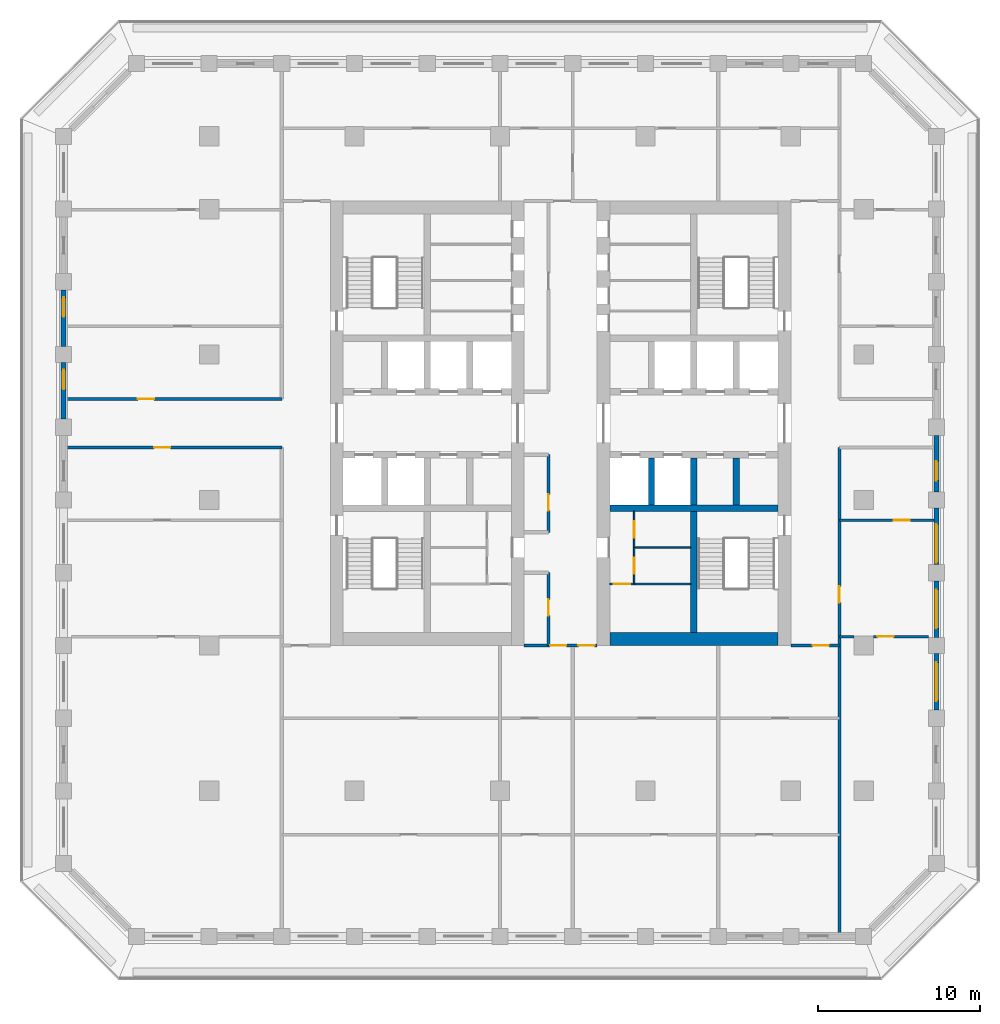
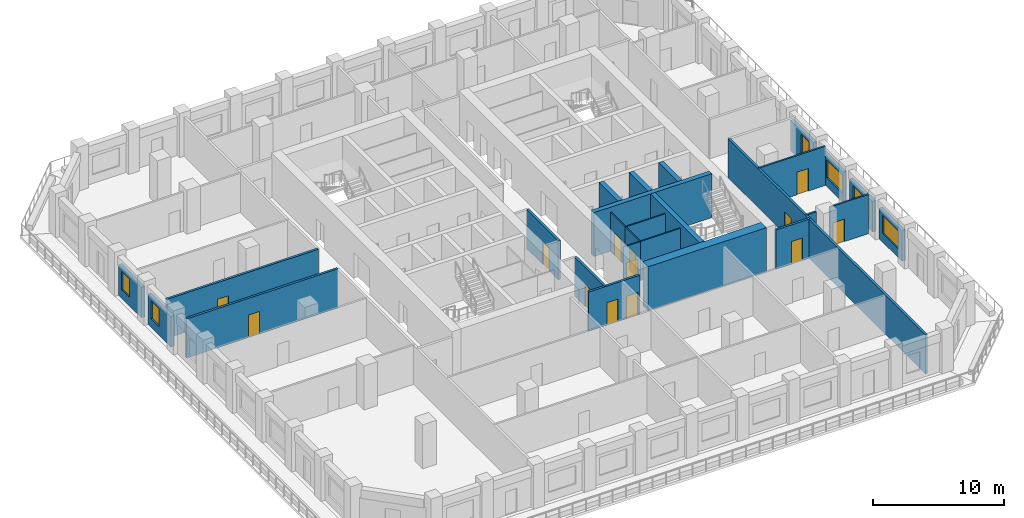
# One storey, part 4 of 16: 27 walls, 13 doors, 6 windows, 19 openings.
"""IFC4 building model written with IfcOpenShell, lengths in metres."""

from ifc_helpers import new_model, si_unit, direction, frame, frame_2d, origin, place, context, subcontext, project, spatial, rectangle, extrude, material, layer, layer_set, type_object, element, fill, save


model = new_model("IFC4")

# Units and contexts
model_context = context("Model", 3, precision=1e-05, world=origin(), true_north=direction((0.0, 1.0)))
body_context = subcontext(model_context, "Body", "Model", "MODEL_VIEW")
ifc_project = project(units=[si_unit("LENGTHUNIT", "METRE"), si_unit("AREAUNIT", "SQUARE_METRE"), si_unit("VOLUMEUNIT", "CUBIC_METRE"), si_unit("PLANEANGLEUNIT", "RADIAN"), si_unit("MASSUNIT", "GRAM", prefix="KILO")], contexts=[model_context])

# Site, building, storey
site_placement = place(None, origin())
site = spatial("IfcSite", under=ifc_project, at=site_placement, CompositionType="ELEMENT")
building_placement = place(site_placement, origin())
building = spatial("IfcBuilding", under=site, at=building_placement, Name="Corbel Stack Research Tower", CompositionType="ELEMENT")
storey_placement = place(building_placement, frame((0.0, 0.0, 160.89990234375)))
storey = spatial("IfcBuildingStorey", under=building, at=storey_placement, Name="L36", CompositionType="ELEMENT", Elevation=160.89990234375)

# Walls
ifc_material_1 = material(Name="Concrete C60/75", Category="concrete")
ifc_layer_1 = layer(ifc_material_1, 0.39990234375)
ifc_layer_set_1 = layer_set([ifc_layer_1], Name="Concrete C60/75")
wall_type_1 = type_object("IfcWallType", Name="CW-400-60", PredefinedType="SHEAR", material=ifc_layer_set_1)
wall_1_placement = place(storey_placement, frame((6.800048828125, -0.5, 0.0), z_axis=(0.0, 0.0, 1.0), x_axis=(1.0, 0.0, 0.0)))
element("IfcWall", 1, at=wall_1_placement, inside=storey, type_object=wall_type_1, Name="East core wall, south row back L36", PredefinedType="SHEAR", context=body_context, shape_type="SweptSolid", body=[
    extrude(rectangle(XDim=10.39990234375, YDim=0.39990234375, at=frame_2d((5.199951171875, 0.0))), origin(), (0.0, 0.0, 1.0), 4.10009765625),
])
for number, where, z_axis, x_axis, name in (
    (2, (9.375, -0.300048828125, 0.0), (0.0, 0.0, 1.0), (0.0, 1.0, 0.0), "East core wall, south shaft 1 L36"),
    (3, (12.0, -0.300048828125, 0.0), (0.0, 0.0, 1.0), (0.0, 1.0, 0.0), "East core wall, south shaft 2 L36"),
    (4, (14.625, -0.300048828125, 0.0), (0.0, 0.0, 1.0), (0.0, 1.0, 0.0), "East core wall, south shaft 3 L36"),
):
    element("IfcWall", number, at=place(storey_placement, frame(where, z_axis=z_axis, x_axis=x_axis)), inside=storey, type_object=wall_type_1, Name=name, PredefinedType="SHEAR", context=body_context, shape_type="SweptSolid", body=[
        extrude(rectangle(XDim=2.900146484375, YDim=0.39990234375, at=frame_2d((1.4501953125, 0.0))), origin(), (0.0, 0.0, 1.0), 4.10009765625),
    ])
wall_2_placement = place(storey_placement, frame((12.0, -8.199951171875, 0.0), z_axis=(0.0, 0.0, 1.0), x_axis=(0.0, 1.0, 0.0)))
element("IfcWall", 5, at=wall_2_placement, inside=storey, type_object=wall_type_1, Name="East core wall, south stair and WC L36", PredefinedType="SHEAR", context=body_context, shape_type="SweptSolid", body=[
    extrude(rectangle(XDim=7.5, YDim=0.39990234375, at=frame_2d((3.75, 0.0))), origin(), (0.0, 0.0, 1.0), 4.10009765625),
])
ifc_material_2 = material(Name="Concrete C60/75", Category="concrete")
ifc_layer_2 = layer(ifc_material_2, 0.800048828125)
ifc_layer_set_2 = layer_set([ifc_layer_2], Name="Concrete C60/75")
wall_type_2 = type_object("IfcWallType", Name="CW-800-60", PredefinedType="SHEAR", material=ifc_layer_set_2)
wall_3_placement = place(storey_placement, frame((6.800048828125, -8.60009765625, 0.0), z_axis=(0.0, 0.0, 1.0), x_axis=(1.0, 0.0, 0.0)))
element("IfcWall", 6, at=wall_3_placement, inside=storey, type_object=wall_type_2, Name="East core wall, south end L36", PredefinedType="SHEAR", context=body_context, shape_type="SweptSolid", body=[
    extrude(rectangle(XDim=10.39990234375, YDim=0.800048828125, at=frame_2d((5.199951171875, 0.0))), origin(), (0.0, 0.0, 1.0), 4.10009765625),
])

# Wall, opening, door
ifc_material_3 = material(Name="Gypsum board")
ifc_layer_3 = layer(ifc_material_3, 0.10009765625)
ifc_layer_set_3 = layer_set([ifc_layer_3], Name="Gypsum board")
wall_type_3 = type_object("IfcWallType", Name="Core partition 100", PredefinedType="PARTITIONING", material=ifc_layer_set_3)
wall_4_placement = place(storey_placement, frame((6.800048828125, -5.199951171875, 0.0), z_axis=(0.0, 0.0, 1.0), x_axis=(1.0, 0.0, 0.0)))
wall_4 = element("IfcWall", 7, at=wall_4_placement, inside=storey, type_object=wall_type_3, Name="Core partition E", PredefinedType="PARTITIONING", context=body_context, shape_type="SweptSolid", body=[
    extrude(rectangle(XDim=1.5, YDim=0.10009765625, at=frame_2d((0.75, 0.0))), origin(), (0.0, 0.0, 1.0), 3.650146484375),
])
opening_1_placement = place(wall_4_placement, frame((0.25, 0.0, 0.0)))
opening_1 = element("IfcOpeningElement", 8, at=opening_1_placement, cuts=wall_4, Name="Opening CR-E66-W2-1000", PredefinedType="OPENING", context=body_context, shape_type="SweptSolid", body=[
    extrude(rectangle(XDim=1.0, YDim=2.10009765625, at=frame_2d((0.5, 1.050048828125))), frame((0.0, 0.06005859375, 0.0), z_axis=(0.0, -1.0, 0.0), x_axis=(1.0, 0.0, 0.0)), (0.0, 0.0, 1.0), 0.1201171875),
])
ifc_material_4 = material(Name="Painted timber door", Category="wood")
door_type_1 = type_object("IfcDoorType", Name="WC door 1000 x 2100 left hand", OperationType="SINGLE_SWING_LEFT", PredefinedType="DOOR", material=ifc_material_4)
door_1_placement = place(opening_1_placement, origin())
door_1 = element("IfcDoor", 9, at=door_1_placement, inside=storey, type_object=door_type_1, Name="Accessible WC door E core", OperationType="SINGLE_SWING_LEFT", OverallHeight=2.10009765625, OverallWidth=1.0, PredefinedType="DOOR", context=body_context, shape_type="SweptSolid", body=[
    extrude(rectangle(XDim=1.0, YDim=2.10009765625, at=frame_2d((0.5, 1.050048828125))), frame((0.0, 0.02490234375, 0.0), z_axis=(0.0, -1.0, 0.0), x_axis=(1.0, 0.0, 0.0)), (0.0, 0.0, 1.0), 0.050048828125),
])
fill(opening_1, door_1)

wall_5_placement = place(storey_placement, frame((8.300048828125, -5.199951171875, 0.0), z_axis=(0.0, 0.0, 1.0), x_axis=(0.0, 1.0, 0.0)))
wall_5 = element("IfcWall", 10, at=wall_5_placement, inside=storey, type_object=wall_type_3, Name="Core partition E", PredefinedType="PARTITIONING", context=body_context, shape_type="SweptSolid", body=[
    extrude(rectangle(XDim=2.25, YDim=0.10009765625, at=frame_2d((1.125, 0.0))), origin(), (0.0, 0.0, 1.0), 3.650146484375),
])
opening_2_placement = place(wall_5_placement, frame((0.625, 0.0, 0.0)))
opening_2 = element("IfcOpeningElement", 11, at=opening_2_placement, cuts=wall_5, Name="Opening CR-E66-W3-1000", PredefinedType="OPENING", context=body_context, shape_type="SweptSolid", body=[
    extrude(rectangle(XDim=1.0, YDim=2.10009765625, at=frame_2d((0.5, 1.050048828125))), frame((0.0, 0.06005859375, 0.0), z_axis=(0.0, -1.0, 0.0), x_axis=(1.0, 0.0, 0.0)), (0.0, 0.0, 1.0), 0.1201171875),
])
ifc_material_5 = material(Name="Painted timber door", Category="wood")
door_type_2 = type_object("IfcDoorType", Name="WC door 1000 x 2100 right hand", OperationType="SINGLE_SWING_RIGHT", PredefinedType="DOOR", material=ifc_material_5)
door_2_placement = place(opening_2_placement, origin())
door_2 = element("IfcDoor", 12, at=door_2_placement, inside=storey, type_object=door_type_2, Name="Men's WC door E core", OperationType="SINGLE_SWING_RIGHT", OverallHeight=2.10009765625, OverallWidth=1.0, PredefinedType="DOOR", context=body_context, shape_type="SweptSolid", body=[
    extrude(rectangle(XDim=1.0, YDim=2.10009765625, at=frame_2d((0.5, 1.050048828125))), frame((0.0, 0.02490234375, 0.0), z_axis=(0.0, -1.0, 0.0), x_axis=(1.0, 0.0, 0.0)), (0.0, 0.0, 1.0), 0.050048828125),
])
fill(opening_2, door_2)

wall_6_placement = place(storey_placement, frame((8.300048828125, -2.949951171875, 0.0), z_axis=(0.0, 0.0, 1.0), x_axis=(0.0, 1.0, 0.0)))
wall_6 = element("IfcWall", 13, at=wall_6_placement, inside=storey, type_object=wall_type_3, Name="Core partition E", PredefinedType="PARTITIONING", context=body_context, shape_type="SweptSolid", body=[
    extrude(rectangle(XDim=2.25, YDim=0.10009765625, at=frame_2d((1.125, 0.0))), origin(), (0.0, 0.0, 1.0), 3.650146484375),
])
opening_3_placement = place(wall_6_placement, frame((0.625, 0.0, 0.0)))
opening_3 = element("IfcOpeningElement", 14, at=opening_3_placement, cuts=wall_6, Name="Opening CR-E66-W4-1000", PredefinedType="OPENING", context=body_context, shape_type="SweptSolid", body=[
    extrude(rectangle(XDim=1.0, YDim=2.10009765625, at=frame_2d((0.5, 1.050048828125))), frame((0.0, 0.06005859375, 0.0), z_axis=(0.0, -1.0, 0.0), x_axis=(1.0, 0.0, 0.0)), (0.0, 0.0, 1.0), 0.1201171875),
])
door_3_placement = place(opening_3_placement, origin())
door_3 = element("IfcDoor", 15, at=door_3_placement, inside=storey, type_object=door_type_1, Name="Women's WC door E core", OperationType="SINGLE_SWING_LEFT", OverallHeight=2.10009765625, OverallWidth=1.0, PredefinedType="DOOR", context=body_context, shape_type="SweptSolid", body=[
    extrude(rectangle(XDim=1.0, YDim=2.10009765625, at=frame_2d((0.5, 1.050048828125))), frame((0.0, 0.02490234375, 0.0), z_axis=(0.0, -1.0, 0.0), x_axis=(1.0, 0.0, 0.0)), (0.0, 0.0, 1.0), 0.050048828125),
])
fill(opening_3, door_3)

# Walls
for number, where, z_axis, x_axis, name in (
    (16, (8.300048828125, -5.199951171875, 0.0), (0.0, 0.0, 1.0), (1.0, 0.0, 0.0), "Core partition E"),
    (17, (8.300048828125, -2.949951171875, 0.0), (0.0, 0.0, 1.0), (1.0, 0.0, 0.0), "Core partition E"),
):
    element("IfcWall", number, at=place(storey_placement, frame(where, z_axis=z_axis, x_axis=x_axis)), inside=storey, type_object=wall_type_3, Name=name, PredefinedType="PARTITIONING", context=body_context, shape_type="SweptSolid", body=[
        extrude(rectangle(XDim=3.5, YDim=0.10009765625, at=frame_2d((1.75, 0.0))), origin(), (0.0, 0.0, 1.0), 3.650146484375),
    ])

# Wall, opening, door
ifc_material_6 = material(Name="Fire-rated gypsum board partition on steel studs", Category="steel")
ifc_layer_4 = layer(ifc_material_6, 0.199951171875)
ifc_layer_set_4 = layer_set([ifc_layer_4], Name="Fire-rated gypsum board partition on steel studs")
wall_type_4 = type_object("IfcWallType", Name="Fire-rated partition 200 EI 60", PredefinedType="PARTITIONING", material=ifc_layer_set_4)
wall_7_placement = place(storey_placement, frame((3.0, -9.0, 0.0), z_axis=(0.0, 0.0, 1.0), x_axis=(0.0, 1.0, 0.0)))
wall_7 = element("IfcWall", 18, at=wall_7_placement, inside=storey, type_object=wall_type_4, Name="Partition L36-007", PredefinedType="PARTITIONING", context=body_context, shape_type="SweptSolid", body=[
    extrude(rectangle(XDim=4.5, YDim=0.199951171875, at=frame_2d((2.25, 0.0))), origin(), (0.0, 0.0, 1.0), 3.650146484375),
])
opening_4_placement = place(wall_7_placement, frame((1.85009765625, 0.0, 0.0)))
opening_4 = element("IfcOpeningElement", 19, at=opening_4_placement, cuts=wall_7, Name="Opening B5V0-017", PredefinedType="OPENING", context=body_context, shape_type="SweptSolid", body=[
    extrude(rectangle(XDim=1.0, YDim=2.10009765625, at=frame_2d((0.5, 1.050048828125))), frame((0.0, 0.10986328125, 0.0), z_axis=(0.0, -1.0, 0.0), x_axis=(1.0, 0.0, 0.0)), (0.0, 0.0, 1.0), 0.219970703125),
])
ifc_material_7 = material(Name="Painted steel fire door", Category="steel")
door_type_3 = type_object("IfcDoorType", Name="Fire door FD30S 1000 x 2100", OperationType="NOTDEFINED", PredefinedType="DOOR", material=ifc_material_7)
door_4_placement = place(opening_4_placement, origin())
door_4 = element("IfcDoor", 20, at=door_4_placement, inside=storey, type_object=door_type_3, Name="Door B5V0-017", OperationType="SINGLE_SWING_RIGHT", OverallHeight=2.10009765625, OverallWidth=1.0, PredefinedType="DOOR", context=body_context, shape_type="SweptSolid", body=[
    extrude(rectangle(XDim=1.0, YDim=2.10009765625, at=frame_2d((0.5, 1.050048828125))), frame((0.0, 0.02490234375, 0.0), z_axis=(0.0, -1.0, 0.0), x_axis=(1.0, 0.0, 0.0)), (0.0, 0.0, 1.0), 0.050048828125),
])
fill(opening_4, door_4)

wall_8_placement = place(storey_placement, frame((3.0, -2.0, 0.0), z_axis=(0.0, 0.0, 1.0), x_axis=(0.0, 1.0, 0.0)))
wall_8 = element("IfcWall", 21, at=wall_8_placement, inside=storey, type_object=wall_type_4, Name="Partition L36-008", PredefinedType="PARTITIONING", context=body_context, shape_type="SweptSolid", body=[
    extrude(rectangle(XDim=4.800048828125, YDim=0.199951171875, at=frame_2d((2.39990234375, 0.0))), origin(), (0.0, 0.0, 1.0), 3.650146484375),
])
opening_5_placement = place(wall_8_placement, frame((1.35009765625, 0.0, 0.0)))
opening_5 = element("IfcOpeningElement", 22, at=opening_5_placement, cuts=wall_8, Name="Opening B5V0-018", PredefinedType="OPENING", context=body_context, shape_type="SweptSolid", body=[
    extrude(rectangle(XDim=1.0, YDim=2.10009765625, at=frame_2d((0.5, 1.050048828125))), frame((0.0, 0.10986328125, 0.0), z_axis=(0.0, -1.0, 0.0), x_axis=(1.0, 0.0, 0.0)), (0.0, 0.0, 1.0), 0.219970703125),
])
door_5_placement = place(opening_5_placement, origin())
door_5 = element("IfcDoor", 23, at=door_5_placement, inside=storey, type_object=door_type_3, Name="Door B5V0-018", OperationType="SINGLE_SWING_LEFT", OverallHeight=2.10009765625, OverallWidth=1.0, PredefinedType="DOOR", context=body_context, shape_type="SweptSolid", body=[
    extrude(rectangle(XDim=1.0, YDim=2.10009765625, at=frame_2d((0.5, 1.050048828125))), frame((0.0, 0.02490234375, 0.0), z_axis=(0.0, -1.0, 0.0), x_axis=(1.0, 0.0, 0.0)), (0.0, 0.0, 1.0), 0.050048828125),
])
fill(opening_5, door_5)

wall_9_placement = place(storey_placement, frame((21.0, 3.25, 0.0), z_axis=(0.0, 0.0, 1.0), x_axis=(0.0, -1.0, 0.0)))
wall_9 = element("IfcWall", 24, at=wall_9_placement, inside=storey, type_object=wall_type_4, Name="Partition L36-014", PredefinedType="PARTITIONING", context=body_context, shape_type="SweptSolid", body=[
    extrude(rectangle(XDim=30.10009765625, YDim=0.199951171875, at=frame_2d((15.050048828125, 0.0))), origin(), (0.0, 0.0, 1.0), 3.650146484375),
])
opening_6_placement = place(wall_9_placement, frame((8.60009765625, 0.0, 0.0)))
opening_6 = element("IfcOpeningElement", 25, at=opening_6_placement, cuts=wall_9, Name="Opening B5V0-030", PredefinedType="OPENING", context=body_context, shape_type="SweptSolid", body=[
    extrude(rectangle(XDim=1.0, YDim=2.10009765625, at=frame_2d((0.5, 1.050048828125))), frame((0.0, 0.10986328125, 0.0), z_axis=(0.0, -1.0, 0.0), x_axis=(1.0, 0.0, 0.0)), (0.0, 0.0, 1.0), 0.219970703125),
])
door_6_placement = place(opening_6_placement, origin())
door_6 = element("IfcDoor", 26, at=door_6_placement, inside=storey, type_object=door_type_3, Name="Door B5V0-030", OperationType="SINGLE_SWING_LEFT", OverallHeight=2.10009765625, OverallWidth=1.0, PredefinedType="DOOR", context=body_context, shape_type="SweptSolid", body=[
    extrude(rectangle(XDim=1.0, YDim=2.10009765625, at=frame_2d((0.5, 1.050048828125))), frame((0.0, 0.02490234375, 0.0), z_axis=(0.0, -1.0, 0.0), x_axis=(1.0, 0.0, 0.0)), (0.0, 0.0, 1.0), 0.050048828125),
])
fill(opening_6, door_6)

# Wall, openings, doors
wall_10_placement = place(storey_placement, frame((6.0, -9.0, 0.0), z_axis=(0.0, 0.0, 1.0), x_axis=(-1.0, 0.0, 0.0)))
wall_10 = element("IfcWall", 27, at=wall_10_placement, inside=storey, type_object=wall_type_4, Name="Partition L36-019", PredefinedType="PARTITIONING", context=body_context, shape_type="SweptSolid", body=[
    extrude(rectangle(XDim=4.5, YDim=0.199951171875, at=frame_2d((2.25, 0.0))), origin(), (0.0, 0.0, 1.0), 3.650146484375),
])
opening_7_placement = place(wall_10_placement, frame((1.89990234375, 0.0, 0.0)))
opening_7 = element("IfcOpeningElement", 28, at=opening_7_placement, cuts=wall_10, Name="Opening B5V0-010", PredefinedType="OPENING", context=body_context, shape_type="SweptSolid", body=[
    extrude(rectangle(XDim=1.0, YDim=2.10009765625, at=frame_2d((0.5, 1.050048828125))), frame((0.0, 0.10986328125, 0.0), z_axis=(0.0, -1.0, 0.0), x_axis=(1.0, 0.0, 0.0)), (0.0, 0.0, 1.0), 0.219970703125),
])
opening_8_placement = place(wall_10_placement, frame((0.14990234375, 0.0, 0.0)))
opening_8 = element("IfcOpeningElement", 29, at=opening_8_placement, cuts=wall_10, Name="Opening B5V0-011", PredefinedType="OPENING", context=body_context, shape_type="SweptSolid", body=[
    extrude(rectangle(XDim=1.0, YDim=2.10009765625, at=frame_2d((0.5, 1.050048828125))), frame((0.0, 0.10986328125, 0.0), z_axis=(0.0, -1.0, 0.0), x_axis=(1.0, 0.0, 0.0)), (0.0, 0.0, 1.0), 0.219970703125),
])
door_7_placement = place(opening_7_placement, origin())
door_7 = element("IfcDoor", 30, at=door_7_placement, inside=storey, type_object=door_type_3, Name="Door B5V0-010", OperationType="SINGLE_SWING_RIGHT", OverallHeight=2.10009765625, OverallWidth=1.0, PredefinedType="DOOR", context=body_context, shape_type="SweptSolid", body=[
    extrude(rectangle(XDim=1.0, YDim=2.10009765625, at=frame_2d((0.5, 1.050048828125))), frame((0.0, 0.02490234375, 0.0), z_axis=(0.0, -1.0, 0.0), x_axis=(1.0, 0.0, 0.0)), (0.0, 0.0, 1.0), 0.050048828125),
])
fill(opening_7, door_7)
door_8_placement = place(opening_8_placement, origin())
door_8 = element("IfcDoor", 31, at=door_8_placement, inside=storey, type_object=door_type_3, Name="Door B5V0-011", OperationType="SINGLE_SWING_LEFT", OverallHeight=2.10009765625, OverallWidth=1.0, PredefinedType="DOOR", context=body_context, shape_type="SweptSolid", body=[
    extrude(rectangle(XDim=1.0, YDim=2.10009765625, at=frame_2d((0.5, 1.050048828125))), frame((0.0, 0.02490234375, 0.0), z_axis=(0.0, -1.0, 0.0), x_axis=(1.0, 0.0, 0.0)), (0.0, 0.0, 1.0), 0.050048828125),
])
fill(opening_8, door_8)

# Wall, opening, door
wall_11_placement = place(storey_placement, frame((21.0, -9.0, 0.0), z_axis=(0.0, 0.0, 1.0), x_axis=(-1.0, 0.0, 0.0)))
wall_11 = element("IfcWall", 32, at=wall_11_placement, inside=storey, type_object=wall_type_4, Name="Partition L36-020", PredefinedType="PARTITIONING", context=body_context, shape_type="SweptSolid", body=[
    extrude(rectangle(XDim=3.0, YDim=0.199951171875, at=frame_2d((1.5, 0.0))), origin(), (0.0, 0.0, 1.0), 3.650146484375),
])
opening_9_placement = place(wall_11_placement, frame((0.64990234375, 0.0, 0.0)))
opening_9 = element("IfcOpeningElement", 33, at=opening_9_placement, cuts=wall_11, Name="Opening B5V0-012", PredefinedType="OPENING", context=body_context, shape_type="SweptSolid", body=[
    extrude(rectangle(XDim=1.0, YDim=2.10009765625, at=frame_2d((0.5, 1.050048828125))), frame((0.0, 0.10986328125, 0.0), z_axis=(0.0, -1.0, 0.0), x_axis=(1.0, 0.0, 0.0)), (0.0, 0.0, 1.0), 0.219970703125),
])
door_9_placement = place(opening_9_placement, origin())
door_9 = element("IfcDoor", 34, at=door_9_placement, inside=storey, type_object=door_type_3, Name="Door B5V0-012", OperationType="SINGLE_SWING_LEFT", OverallHeight=2.10009765625, OverallWidth=1.0, PredefinedType="DOOR", context=body_context, shape_type="SweptSolid", body=[
    extrude(rectangle(XDim=1.0, YDim=2.10009765625, at=frame_2d((0.5, 1.050048828125))), frame((0.0, 0.02490234375, 0.0), z_axis=(0.0, -1.0, 0.0), x_axis=(1.0, 0.0, 0.0)), (0.0, 0.0, 1.0), 0.050048828125),
])
fill(opening_9, door_9)

wall_12_placement = place(storey_placement, frame((-13.5, 3.25, 0.0), z_axis=(0.0, 0.0, 1.0), x_axis=(-1.0, 0.0, 0.0)))
wall_12 = element("IfcWall", 35, at=wall_12_placement, inside=storey, type_object=wall_type_4, Name="Partition L36-030", PredefinedType="PARTITIONING", context=body_context, shape_type="SweptSolid", body=[
    extrude(rectangle(XDim=13.35009765625, YDim=0.199951171875, at=frame_2d((6.675048828125, 0.0))), origin(), (0.0, 0.0, 1.0), 3.650146484375),
])
opening_10_placement = place(wall_12_placement, frame((6.89990234375, 0.0, 0.0)))
opening_10 = element("IfcOpeningElement", 36, at=opening_10_placement, cuts=wall_12, Name="Opening B5V0-020", PredefinedType="OPENING", context=body_context, shape_type="SweptSolid", body=[
    extrude(rectangle(XDim=1.0, YDim=2.10009765625, at=frame_2d((0.5, 1.050048828125))), frame((0.0, 0.10986328125, 0.0), z_axis=(0.0, -1.0, 0.0), x_axis=(1.0, 0.0, 0.0)), (0.0, 0.0, 1.0), 0.219970703125),
])
door_10_placement = place(opening_10_placement, origin())
door_10 = element("IfcDoor", 37, at=door_10_placement, inside=storey, type_object=door_type_3, Name="Door B5V0-020", OperationType="SINGLE_SWING_RIGHT", OverallHeight=2.10009765625, OverallWidth=1.0, PredefinedType="DOOR", context=body_context, shape_type="SweptSolid", body=[
    extrude(rectangle(XDim=1.0, YDim=2.10009765625, at=frame_2d((0.5, 1.050048828125))), frame((0.0, 0.02490234375, 0.0), z_axis=(0.0, -1.0, 0.0), x_axis=(1.0, 0.0, 0.0)), (0.0, 0.0, 1.0), 0.050048828125),
])
fill(opening_10, door_10)

wall_13_placement = place(storey_placement, frame((-26.85009765625, 6.25, 0.0), z_axis=(0.0, 0.0, 1.0), x_axis=(1.0, 0.0, 0.0)))
wall_13 = element("IfcWall", 38, at=wall_13_placement, inside=storey, type_object=wall_type_4, Name="Partition L36-032", PredefinedType="PARTITIONING", context=body_context, shape_type="SweptSolid", body=[
    extrude(rectangle(XDim=13.35009765625, YDim=0.199951171875, at=frame_2d((6.675048828125, 0.0))), origin(), (0.0, 0.0, 1.0), 3.650146484375),
])
opening_11_placement = place(wall_13_placement, frame((4.449951171875, 0.0, 0.0)))
opening_11 = element("IfcOpeningElement", 39, at=opening_11_placement, cuts=wall_13, Name="Opening B5V0-022", PredefinedType="OPENING", context=body_context, shape_type="SweptSolid", body=[
    extrude(rectangle(XDim=1.0, YDim=2.10009765625, at=frame_2d((0.5, 1.050048828125))), frame((0.0, 0.10986328125, 0.0), z_axis=(0.0, -1.0, 0.0), x_axis=(1.0, 0.0, 0.0)), (0.0, 0.0, 1.0), 0.219970703125),
])
door_11_placement = place(opening_11_placement, origin())
door_11 = element("IfcDoor", 40, at=door_11_placement, inside=storey, type_object=door_type_3, Name="Door B5V0-022", OperationType="SINGLE_SWING_LEFT", OverallHeight=2.10009765625, OverallWidth=1.0, PredefinedType="DOOR", context=body_context, shape_type="SweptSolid", body=[
    extrude(rectangle(XDim=1.0, YDim=2.10009765625, at=frame_2d((0.5, 1.050048828125))), frame((0.0, 0.02490234375, 0.0), z_axis=(0.0, -1.0, 0.0), x_axis=(1.0, 0.0, 0.0)), (0.0, 0.0, 1.0), 0.050048828125),
])
fill(opening_11, door_11)

# Wall
ifc_material_8 = material(Name="Gypsum board partition on steel studs", Category="steel")
ifc_layer_5 = layer(ifc_material_8, 0.14990234375)
ifc_layer_set_5 = layer_set([ifc_layer_5], Name="Gypsum board partition on steel studs")
wall_type_5 = type_object("IfcWallType", Name="Partition 150", PredefinedType="PARTITIONING", material=ifc_layer_set_5)
wall_14_placement = place(storey_placement, frame((21.0, -8.449951171875, 0.0), z_axis=(0.0, 0.0, 1.0), x_axis=(1.0, 0.0, 0.0)))
element("IfcWall", 41, at=wall_14_placement, inside=storey, type_object=wall_type_5, Name="Partition L36-023", PredefinedType="PARTITIONING", context=body_context, shape_type="SweptSolid", body=[
    extrude(rectangle(XDim=0.89990234375, YDim=0.14990234375, at=frame_2d((0.449951171875, 0.0))), origin(), (0.0, 0.0, 1.0), 3.650146484375),
])

# Wall, opening, door
wall_15_placement = place(storey_placement, frame((26.5, -8.449951171875, 0.0), z_axis=(0.0, 0.0, 1.0), x_axis=(-1.0, 0.0, 0.0)))
wall_15 = element("IfcWall", 42, at=wall_15_placement, inside=storey, type_object=wall_type_5, Name="Partition L36-024", PredefinedType="PARTITIONING", context=body_context, shape_type="SweptSolid", body=[
    extrude(rectangle(XDim=3.39990234375, YDim=0.14990234375, at=frame_2d((1.699951171875, 0.0))), origin(), (0.0, 0.0, 1.0), 3.650146484375),
])
opening_12_placement = place(wall_15_placement, frame((2.14990234375, 0.0, 0.0)))
opening_12 = element("IfcOpeningElement", 43, at=opening_12_placement, cuts=wall_15, Name="Opening B5V0-014", PredefinedType="OPENING", context=body_context, shape_type="SweptSolid", body=[
    extrude(rectangle(XDim=1.0, YDim=2.10009765625, at=frame_2d((0.5, 1.050048828125))), frame((0.0, 0.0849609375, 0.0), z_axis=(0.0, -1.0, 0.0), x_axis=(1.0, 0.0, 0.0)), (0.0, 0.0, 1.0), 0.169921875),
])
ifc_material_9 = material(Name="Painted timber door", Category="wood")
door_type_4 = type_object("IfcDoorType", Name="Single door 1000 x 2100", OperationType="NOTDEFINED", PredefinedType="DOOR", material=ifc_material_9)
door_12_placement = place(opening_12_placement, origin())
door_12 = element("IfcDoor", 44, at=door_12_placement, inside=storey, type_object=door_type_4, Name="Door B5V0-014", OperationType="SINGLE_SWING_RIGHT", OverallHeight=2.10009765625, OverallWidth=1.0, PredefinedType="DOOR", context=body_context, shape_type="SweptSolid", body=[
    extrude(rectangle(XDim=1.0, YDim=2.10009765625, at=frame_2d((0.5, 1.050048828125))), frame((0.0, 0.02490234375, 0.0), z_axis=(0.0, -1.0, 0.0), x_axis=(1.0, 0.0, 0.0)), (0.0, 0.0, 1.0), 0.050048828125),
])
fill(opening_12, door_12)

wall_16_placement = place(storey_placement, frame((21.0, -1.25, 0.0), z_axis=(0.0, 0.0, 1.0), x_axis=(1.0, 0.0, 0.0)))
wall_16 = element("IfcWall", 45, at=wall_16_placement, inside=storey, type_object=wall_type_5, Name="Partition L36-028", PredefinedType="PARTITIONING", context=body_context, shape_type="SweptSolid", body=[
    extrude(rectangle(XDim=5.85009765625, YDim=0.14990234375, at=frame_2d((2.925048828125, 0.0))), origin(), (0.0, 0.0, 1.0), 3.650146484375),
])
opening_13_placement = place(wall_16_placement, frame((3.35009765625, 0.0, 0.0)))
opening_13 = element("IfcOpeningElement", 46, at=opening_13_placement, cuts=wall_16, Name="Opening B5V0-016", PredefinedType="OPENING", context=body_context, shape_type="SweptSolid", body=[
    extrude(rectangle(XDim=1.0, YDim=2.10009765625, at=frame_2d((0.5, 1.050048828125))), frame((0.0, 0.0849609375, 0.0), z_axis=(0.0, -1.0, 0.0), x_axis=(1.0, 0.0, 0.0)), (0.0, 0.0, 1.0), 0.169921875),
])
door_13_placement = place(opening_13_placement, origin())
door_13 = element("IfcDoor", 47, at=door_13_placement, inside=storey, type_object=door_type_4, Name="Door B5V0-016", OperationType="SINGLE_SWING_RIGHT", OverallHeight=2.10009765625, OverallWidth=1.0, PredefinedType="DOOR", context=body_context, shape_type="SweptSolid", body=[
    extrude(rectangle(XDim=1.0, YDim=2.10009765625, at=frame_2d((0.5, 1.050048828125))), frame((0.0, 0.02490234375, 0.0), z_axis=(0.0, -1.0, 0.0), x_axis=(1.0, 0.0, 0.0)), (0.0, 0.0, 1.0), 0.050048828125),
])
fill(opening_13, door_13)

# Wall, opening, window
ifc_material_10 = material(Name="Concrete C45/55", Category="concrete")
ifc_layer_6 = layer(ifc_material_10, 0.300048828125)
ifc_layer_set_6 = layer_set([ifc_layer_6], Name="Concrete C45/55")
wall_type_6 = type_object("IfcWallType", Name="Terracotta-faced concrete wall 300", PredefinedType="SOLIDWALL", material=ifc_layer_set_6)
wall_17_placement = place(storey_placement, frame((27.0, -9.5, 0.0), z_axis=(0.0, 0.0, 1.0), x_axis=(0.0, -1.0, 0.0)))
wall_17 = element("IfcWall", 48, at=wall_17_placement, inside=storey, type_object=wall_type_6, Name="Facade wall L36 E03", PredefinedType="SOLIDWALL", context=body_context, shape_type="SweptSolid", body=[
    extrude(rectangle(XDim=3.5, YDim=0.300048828125, at=frame_2d((1.75, 0.0))), origin(), (0.0, 0.0, 1.0), 2.85009765625),
])
opening_14_placement = place(wall_17_placement, frame((0.550048828125, 0.0, 0.800048828125)))
opening_14 = element("IfcOpeningElement", 49, at=opening_14_placement, cuts=wall_17, Name="Opening W1", PredefinedType="OPENING", context=body_context, shape_type="SweptSolid", body=[
    extrude(rectangle(XDim=2.39990234375, YDim=1.699951171875, at=frame_2d((1.199951171875, 0.85009765625))), frame((0.0, 0.159912109375, 0.0), z_axis=(0.0, -1.0, 0.0), x_axis=(1.0, 0.0, 0.0)), (0.0, 0.0, 1.0), 0.320068359375),
])
ifc_material_11 = material(Name="Aluminium frame, clear double glazing", Category="aluminium")
window_type_1 = type_object("IfcWindowType", Name="Window W1 2400 x 1700", PartitioningType="SINGLE_PANEL", PredefinedType="WINDOW", material=ifc_material_11)
window_1_placement = place(opening_14_placement, origin())
window_1 = element("IfcWindow", 50, at=window_1_placement, inside=storey, type_object=window_type_1, Name="Window W1 L36 E03", OverallHeight=1.699951171875, OverallWidth=2.39990234375, PartitioningType="SINGLE_PANEL", PredefinedType="WINDOW", context=body_context, shape_type="SweptSolid", body=[
    extrude(rectangle(XDim=2.39990234375, YDim=1.699951171875, at=frame_2d((1.199951171875, 0.85009765625))), frame((0.0, 0.030029296875, 0.0), z_axis=(0.0, -1.0, 0.0), x_axis=(1.0, 0.0, 0.0)), (0.0, 0.0, 1.0), 0.06005859375),
])
fill(opening_14, window_1)

wall_18_placement = place(storey_placement, frame((27.0, -5.0, 0.0), z_axis=(0.0, 0.0, 1.0), x_axis=(0.0, -1.0, 0.0)))
wall_18 = element("IfcWall", 51, at=wall_18_placement, inside=storey, type_object=wall_type_6, Name="Facade wall L36 E04", PredefinedType="SOLIDWALL", context=body_context, shape_type="SweptSolid", body=[
    extrude(rectangle(XDim=3.5, YDim=0.300048828125, at=frame_2d((1.75, 0.0))), origin(), (0.0, 0.0, 1.0), 2.85009765625),
])
opening_15_placement = place(wall_18_placement, frame((0.550048828125, 0.0, 0.800048828125)))
opening_15 = element("IfcOpeningElement", 52, at=opening_15_placement, cuts=wall_18, Name="Opening W1", PredefinedType="OPENING", context=body_context, shape_type="SweptSolid", body=[
    extrude(rectangle(XDim=2.39990234375, YDim=1.699951171875, at=frame_2d((1.199951171875, 0.85009765625))), frame((0.0, 0.159912109375, 0.0), z_axis=(0.0, -1.0, 0.0), x_axis=(1.0, 0.0, 0.0)), (0.0, 0.0, 1.0), 0.320068359375),
])
window_2_placement = place(opening_15_placement, origin())
window_2 = element("IfcWindow", 53, at=window_2_placement, inside=storey, type_object=window_type_1, Name="Window W1 L36 E04", OverallHeight=1.699951171875, OverallWidth=2.39990234375, PartitioningType="SINGLE_PANEL", PredefinedType="WINDOW", context=body_context, shape_type="SweptSolid", body=[
    extrude(rectangle(XDim=2.39990234375, YDim=1.699951171875, at=frame_2d((1.199951171875, 0.85009765625))), frame((0.0, 0.030029296875, 0.0), z_axis=(0.0, -1.0, 0.0), x_axis=(1.0, 0.0, 0.0)), (0.0, 0.0, 1.0), 0.06005859375),
])
fill(opening_15, window_2)

wall_19_placement = place(storey_placement, frame((27.0, -0.5, 0.0), z_axis=(0.0, 0.0, 1.0), x_axis=(0.0, -1.0, 0.0)))
wall_19 = element("IfcWall", 54, at=wall_19_placement, inside=storey, type_object=wall_type_6, Name="Facade wall L36 E05", PredefinedType="SOLIDWALL", context=body_context, shape_type="SweptSolid", body=[
    extrude(rectangle(XDim=3.5, YDim=0.300048828125, at=frame_2d((1.75, 0.0))), origin(), (0.0, 0.0, 1.0), 2.85009765625),
])
opening_16_placement = place(wall_19_placement, frame((0.987548828125, 0.0, 0.800048828125)))
opening_16 = element("IfcOpeningElement", 55, at=opening_16_placement, cuts=wall_19, Name="Opening W1", PredefinedType="OPENING", context=body_context, shape_type="SweptSolid", body=[
    extrude(rectangle(XDim=2.39990234375, YDim=1.699951171875, at=frame_2d((1.199951171875, 0.85009765625))), frame((0.0, 0.159912109375, 0.0), z_axis=(0.0, -1.0, 0.0), x_axis=(1.0, 0.0, 0.0)), (0.0, 0.0, 1.0), 0.320068359375),
])
window_3_placement = place(opening_16_placement, origin())
window_3 = element("IfcWindow", 56, at=window_3_placement, inside=storey, type_object=window_type_1, Name="Window W1 L36 E05", OverallHeight=1.699951171875, OverallWidth=2.39990234375, PartitioningType="SINGLE_PANEL", PredefinedType="WINDOW", context=body_context, shape_type="SweptSolid", body=[
    extrude(rectangle(XDim=2.39990234375, YDim=1.699951171875, at=frame_2d((1.199951171875, 0.85009765625))), frame((0.0, 0.030029296875, 0.0), z_axis=(0.0, -1.0, 0.0), x_axis=(1.0, 0.0, 0.0)), (0.0, 0.0, 1.0), 0.06005859375),
])
fill(opening_16, window_3)

wall_20_placement = place(storey_placement, frame((27.0, 4.0, 0.0), z_axis=(0.0, 0.0, 1.0), x_axis=(0.0, -1.0, 0.0)))
wall_20 = element("IfcWall", 57, at=wall_20_placement, inside=storey, type_object=wall_type_6, Name="Facade wall L36 E06", PredefinedType="SOLIDWALL", context=body_context, shape_type="SweptSolid", body=[
    extrude(rectangle(XDim=3.5, YDim=0.300048828125, at=frame_2d((1.75, 0.0))), origin(), (0.0, 0.0, 1.0), 2.85009765625),
])
opening_17_placement = place(wall_20_placement, frame((1.60009765625, 0.0, 0.800048828125)))
opening_17 = element("IfcOpeningElement", 58, at=opening_17_placement, cuts=wall_20, Name="Opening W2", PredefinedType="OPENING", context=body_context, shape_type="SweptSolid", body=[
    extrude(rectangle(XDim=1.199951171875, YDim=1.699951171875, at=frame_2d((0.60009765625, 0.85009765625))), frame((0.0, 0.159912109375, 0.0), z_axis=(0.0, -1.0, 0.0), x_axis=(1.0, 0.0, 0.0)), (0.0, 0.0, 1.0), 0.320068359375),
])
ifc_material_12 = material(Name="Aluminium frame, clear double glazing", Category="aluminium")
window_type_2 = type_object("IfcWindowType", Name="Window W2 1200 x 1700", PartitioningType="SINGLE_PANEL", PredefinedType="WINDOW", material=ifc_material_12)
window_4_placement = place(opening_17_placement, origin())
window_4 = element("IfcWindow", 59, at=window_4_placement, inside=storey, type_object=window_type_2, Name="Window W2 L36 E06", OverallHeight=1.699951171875, OverallWidth=1.199951171875, PartitioningType="SINGLE_PANEL", PredefinedType="WINDOW", context=body_context, shape_type="SweptSolid", body=[
    extrude(rectangle(XDim=1.199951171875, YDim=1.699951171875, at=frame_2d((0.60009765625, 0.85009765625))), frame((0.0, 0.030029296875, 0.0), z_axis=(0.0, -1.0, 0.0), x_axis=(1.0, 0.0, 0.0)), (0.0, 0.0, 1.0), 0.06005859375),
])
fill(opening_17, window_4)

wall_21_placement = place(storey_placement, frame((-27.0, 9.5, 0.0), z_axis=(0.0, 0.0, 1.0), x_axis=(0.0, 1.0, 0.0)))
wall_21 = element("IfcWall", 60, at=wall_21_placement, inside=storey, type_object=wall_type_6, Name="Facade wall L36 W03", PredefinedType="SOLIDWALL", context=body_context, shape_type="SweptSolid", body=[
    extrude(rectangle(XDim=3.5, YDim=0.300048828125, at=frame_2d((1.75, 0.0))), origin(), (0.0, 0.0, 1.0), 2.85009765625),
])
opening_18_placement = place(wall_21_placement, frame((1.83740234375, 0.0, 0.800048828125)))
opening_18 = element("IfcOpeningElement", 61, at=opening_18_placement, cuts=wall_21, Name="Opening W2", PredefinedType="OPENING", context=body_context, shape_type="SweptSolid", body=[
    extrude(rectangle(XDim=1.199951171875, YDim=1.699951171875, at=frame_2d((0.60009765625, 0.85009765625))), frame((0.0, 0.159912109375, 0.0), z_axis=(0.0, -1.0, 0.0), x_axis=(1.0, 0.0, 0.0)), (0.0, 0.0, 1.0), 0.320068359375),
])
window_5_placement = place(opening_18_placement, origin())
window_5 = element("IfcWindow", 62, at=window_5_placement, inside=storey, type_object=window_type_2, Name="Window W2 L36 W03", OverallHeight=1.699951171875, OverallWidth=1.199951171875, PartitioningType="SINGLE_PANEL", PredefinedType="WINDOW", context=body_context, shape_type="SweptSolid", body=[
    extrude(rectangle(XDim=1.199951171875, YDim=1.699951171875, at=frame_2d((0.60009765625, 0.85009765625))), frame((0.0, 0.030029296875, 0.0), z_axis=(0.0, -1.0, 0.0), x_axis=(1.0, 0.0, 0.0)), (0.0, 0.0, 1.0), 0.06005859375),
])
fill(opening_18, window_5)

wall_22_placement = place(storey_placement, frame((-27.0, 5.0, 0.0), z_axis=(0.0, 0.0, 1.0), x_axis=(0.0, 1.0, 0.0)))
wall_22 = element("IfcWall", 63, at=wall_22_placement, inside=storey, type_object=wall_type_6, Name="Facade wall L36 W04", PredefinedType="SOLIDWALL", context=body_context, shape_type="SweptSolid", body=[
    extrude(rectangle(XDim=3.5, YDim=0.300048828125, at=frame_2d((1.75, 0.0))), origin(), (0.0, 0.0, 1.0), 2.85009765625),
])
opening_19_placement = place(wall_22_placement, frame((1.85009765625, 0.0, 0.800048828125)))
opening_19 = element("IfcOpeningElement", 64, at=opening_19_placement, cuts=wall_22, Name="Opening W2", PredefinedType="OPENING", context=body_context, shape_type="SweptSolid", body=[
    extrude(rectangle(XDim=1.199951171875, YDim=1.699951171875, at=frame_2d((0.60009765625, 0.85009765625))), frame((0.0, 0.159912109375, 0.0), z_axis=(0.0, -1.0, 0.0), x_axis=(1.0, 0.0, 0.0)), (0.0, 0.0, 1.0), 0.320068359375),
])
window_6_placement = place(opening_19_placement, origin())
window_6 = element("IfcWindow", 65, at=window_6_placement, inside=storey, type_object=window_type_2, Name="Window W2 L36 W04", OverallHeight=1.699951171875, OverallWidth=1.199951171875, PartitioningType="SINGLE_PANEL", PredefinedType="WINDOW", context=body_context, shape_type="SweptSolid", body=[
    extrude(rectangle(XDim=1.199951171875, YDim=1.699951171875, at=frame_2d((0.60009765625, 0.85009765625))), frame((0.0, 0.030029296875, 0.0), z_axis=(0.0, -1.0, 0.0), x_axis=(1.0, 0.0, 0.0)), (0.0, 0.0, 1.0), 0.06005859375),
])
fill(opening_19, window_6)

save(model, "model.ifc")
